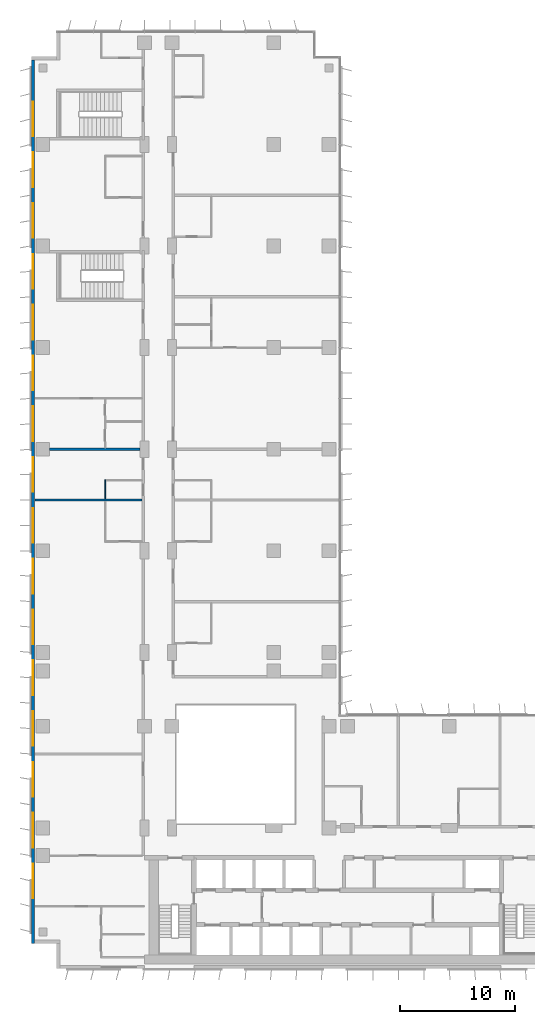
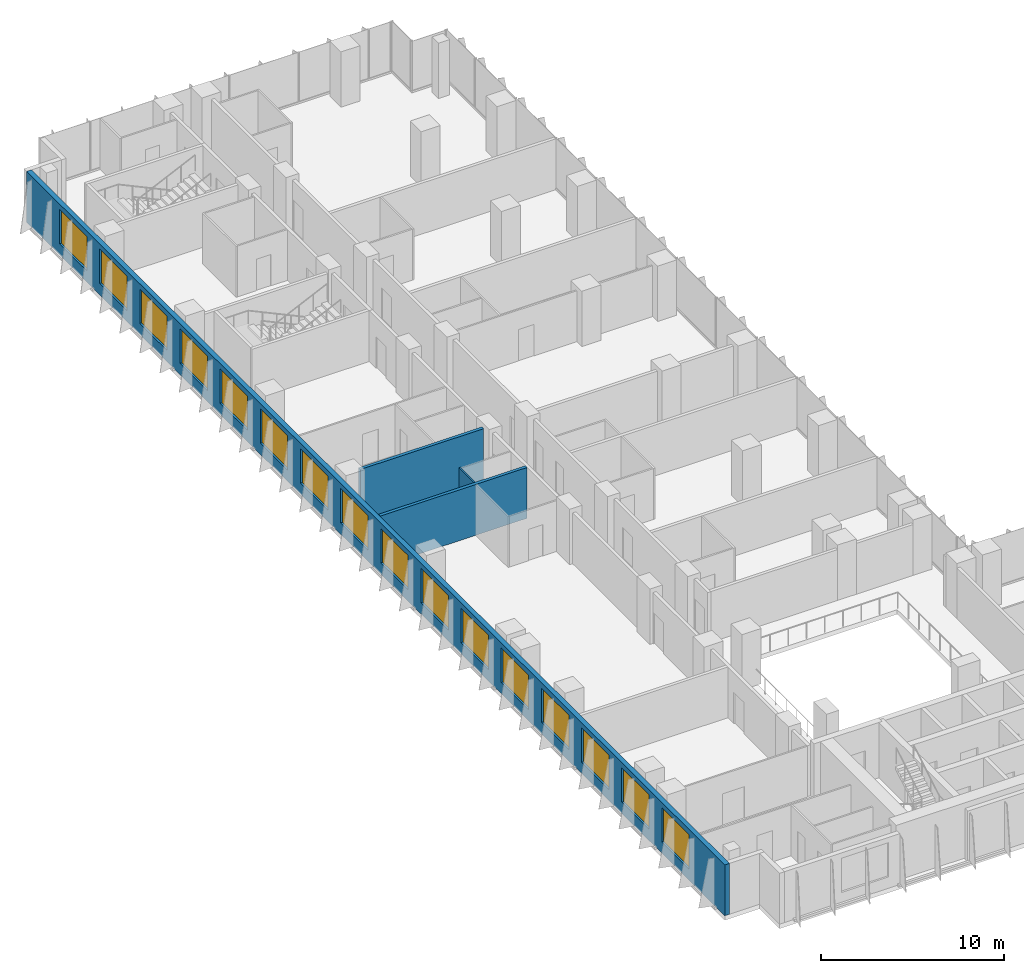
# One storey, part 15 of 22: 16 windows, 4 walls, 16 openings.
"""IFC4 building model written with IfcOpenShell, lengths in metres."""

from ifc_helpers import new_model, si_unit, direction, frame, frame_2d, origin, place, context, subcontext, project, spatial, rectangle, extrude, material, layer, layer_set, type_object, element, fill, save


model = new_model("IFC4")

# Units and contexts
model_context = context("Model", 3, precision=1e-05, world=origin(), true_north=direction((0.0, 1.0)))
body_context = subcontext(model_context, "Body", "Model", "MODEL_VIEW")
ifc_project = project(units=[si_unit("LENGTHUNIT", "METRE"), si_unit("AREAUNIT", "SQUARE_METRE"), si_unit("VOLUMEUNIT", "CUBIC_METRE"), si_unit("PLANEANGLEUNIT", "RADIAN"), si_unit("MASSUNIT", "GRAM", prefix="KILO")], contexts=[model_context])

# Site, building, storey
site_placement = place(None, origin())
site = spatial("IfcSite", under=ifc_project, at=site_placement, CompositionType="ELEMENT")
building_placement = place(site_placement, origin())
building = spatial("IfcBuilding", under=site, at=building_placement, Name="Kemantara Hotel Tower", CompositionType="ELEMENT")
storey_placement = place(building_placement, frame((0.0, 0.0, 122.199951171875)))
storey = spatial("IfcBuildingStorey", under=building, at=storey_placement, Name="L29", CompositionType="ELEMENT", Elevation=122.199951171875)

# Wall, openings, windows
ifc_material_1 = material(Name="Bronze anodised aluminium cladding on insulated steel stud wall", Category="steel")
ifc_layer_1 = layer(ifc_material_1, 0.300048828125)
ifc_layer_set_1 = layer_set([ifc_layer_1], Name="Bronze anodised aluminium cladding on insulated steel stud wall")
wall_type_1 = type_object("IfcWallType", Name="BRONZE METAL-CLAD EXTERNAL WALL 300", PredefinedType="STANDARD", material=ifc_layer_set_1)
wall_1_placement = place(storey_placement, frame((0.14990234375, 78.699951171875, 0.0), z_axis=(0.0, 0.0, 1.0), x_axis=(0.0, -1.0, 0.0)))
wall_1 = element("IfcWall", 1, at=wall_1_placement, inside=storey, type_object=wall_type_1, Name="EXTERNAL WALL L29 T2-R04", PredefinedType="STANDARD", context=body_context, shape_type="SweptSolid", body=[
    extrude(rectangle(XDim=76.5, YDim=0.300048828125, at=frame_2d((38.25, 0.0))), origin(), (0.0, 0.0, 1.0), 3.400146484375),
])
opening_1_placement = place(wall_1_placement, frame((3.60009765625, 0.0, 0.75)))
opening_1 = element("IfcOpeningElement", 2, at=opening_1_placement, cuts=wall_1, Name="Opening W1", PredefinedType="OPENING", context=body_context, shape_type="SweptSolid", body=[
    extrude(rectangle(XDim=3.0, YDim=2.300048828125, at=frame_2d((1.5, 1.14990234375))), frame((0.0, 0.159912109375, 0.0), z_axis=(0.0, -1.0, 0.0), x_axis=(1.0, 0.0, 0.0)), (0.0, 0.0, 1.0), 0.320068359375),
])
opening_2_placement = place(wall_1_placement, frame((8.0, 0.0, 0.75)))
opening_2 = element("IfcOpeningElement", 3, at=opening_2_placement, cuts=wall_1, Name="Opening W1", PredefinedType="OPENING", context=body_context, shape_type="SweptSolid", body=[
    extrude(rectangle(XDim=3.0, YDim=2.300048828125, at=frame_2d((1.5, 1.14990234375))), frame((0.0, 0.159912109375, 0.0), z_axis=(0.0, -1.0, 0.0), x_axis=(1.0, 0.0, 0.0)), (0.0, 0.0, 1.0), 0.320068359375),
])
opening_3_placement = place(wall_1_placement, frame((12.39990234375, 0.0, 0.75)))
opening_3 = element("IfcOpeningElement", 4, at=opening_3_placement, cuts=wall_1, Name="Opening W1", PredefinedType="OPENING", context=body_context, shape_type="SweptSolid", body=[
    extrude(rectangle(XDim=3.0, YDim=2.300048828125, at=frame_2d((1.5, 1.14990234375))), frame((0.0, 0.159912109375, 0.0), z_axis=(0.0, -1.0, 0.0), x_axis=(1.0, 0.0, 0.0)), (0.0, 0.0, 1.0), 0.320068359375),
])
opening_4_placement = place(wall_1_placement, frame((16.800048828125, 0.0, 0.75)))
opening_4 = element("IfcOpeningElement", 5, at=opening_4_placement, cuts=wall_1, Name="Opening W1", PredefinedType="OPENING", context=body_context, shape_type="SweptSolid", body=[
    extrude(rectangle(XDim=3.0, YDim=2.300048828125, at=frame_2d((1.5, 1.14990234375))), frame((0.0, 0.159912109375, 0.0), z_axis=(0.0, -1.0, 0.0), x_axis=(1.0, 0.0, 0.0)), (0.0, 0.0, 1.0), 0.320068359375),
])
opening_5_placement = place(wall_1_placement, frame((21.199951171875, 0.0, 0.75)))
opening_5 = element("IfcOpeningElement", 6, at=opening_5_placement, cuts=wall_1, Name="Opening W1", PredefinedType="OPENING", context=body_context, shape_type="SweptSolid", body=[
    extrude(rectangle(XDim=3.0, YDim=2.300048828125, at=frame_2d((1.5, 1.14990234375))), frame((0.0, 0.159912109375, 0.0), z_axis=(0.0, -1.0, 0.0), x_axis=(1.0, 0.0, 0.0)), (0.0, 0.0, 1.0), 0.320068359375),
])
opening_6_placement = place(wall_1_placement, frame((25.60009765625, 0.0, 0.75)))
opening_6 = element("IfcOpeningElement", 7, at=opening_6_placement, cuts=wall_1, Name="Opening W1", PredefinedType="OPENING", context=body_context, shape_type="SweptSolid", body=[
    extrude(rectangle(XDim=3.0, YDim=2.300048828125, at=frame_2d((1.5, 1.14990234375))), frame((0.0, 0.159912109375, 0.0), z_axis=(0.0, -1.0, 0.0), x_axis=(1.0, 0.0, 0.0)), (0.0, 0.0, 1.0), 0.320068359375),
])
opening_7_placement = place(wall_1_placement, frame((30.0, 0.0, 0.75)))
opening_7 = element("IfcOpeningElement", 8, at=opening_7_placement, cuts=wall_1, Name="Opening W1", PredefinedType="OPENING", context=body_context, shape_type="SweptSolid", body=[
    extrude(rectangle(XDim=3.0, YDim=2.300048828125, at=frame_2d((1.5, 1.14990234375))), frame((0.0, 0.159912109375, 0.0), z_axis=(0.0, -1.0, 0.0), x_axis=(1.0, 0.0, 0.0)), (0.0, 0.0, 1.0), 0.320068359375),
])
opening_8_placement = place(wall_1_placement, frame((34.39990234375, 0.0, 0.75)))
opening_8 = element("IfcOpeningElement", 9, at=opening_8_placement, cuts=wall_1, Name="Opening W1", PredefinedType="OPENING", context=body_context, shape_type="SweptSolid", body=[
    extrude(rectangle(XDim=3.0, YDim=2.300048828125, at=frame_2d((1.5, 1.14990234375))), frame((0.0, 0.159912109375, 0.0), z_axis=(0.0, -1.0, 0.0), x_axis=(1.0, 0.0, 0.0)), (0.0, 0.0, 1.0), 0.320068359375),
])
opening_9_placement = place(wall_1_placement, frame((38.800048828125, 0.0, 0.75)))
opening_9 = element("IfcOpeningElement", 10, at=opening_9_placement, cuts=wall_1, Name="Opening W1", PredefinedType="OPENING", context=body_context, shape_type="SweptSolid", body=[
    extrude(rectangle(XDim=3.0, YDim=2.300048828125, at=frame_2d((1.5, 1.14990234375))), frame((0.0, 0.159912109375, 0.0), z_axis=(0.0, -1.0, 0.0), x_axis=(1.0, 0.0, 0.0)), (0.0, 0.0, 1.0), 0.320068359375),
])
opening_10_placement = place(wall_1_placement, frame((43.199951171875, 0.0, 0.75)))
opening_10 = element("IfcOpeningElement", 11, at=opening_10_placement, cuts=wall_1, Name="Opening W1", PredefinedType="OPENING", context=body_context, shape_type="SweptSolid", body=[
    extrude(rectangle(XDim=3.0, YDim=2.300048828125, at=frame_2d((1.5, 1.14990234375))), frame((0.0, 0.159912109375, 0.0), z_axis=(0.0, -1.0, 0.0), x_axis=(1.0, 0.0, 0.0)), (0.0, 0.0, 1.0), 0.320068359375),
])
opening_11_placement = place(wall_1_placement, frame((47.60009765625, 0.0, 0.75)))
opening_11 = element("IfcOpeningElement", 12, at=opening_11_placement, cuts=wall_1, Name="Opening W1", PredefinedType="OPENING", context=body_context, shape_type="SweptSolid", body=[
    extrude(rectangle(XDim=3.0, YDim=2.300048828125, at=frame_2d((1.5, 1.14990234375))), frame((0.0, 0.159912109375, 0.0), z_axis=(0.0, -1.0, 0.0), x_axis=(1.0, 0.0, 0.0)), (0.0, 0.0, 1.0), 0.320068359375),
])
opening_12_placement = place(wall_1_placement, frame((52.0, 0.0, 0.75)))
opening_12 = element("IfcOpeningElement", 13, at=opening_12_placement, cuts=wall_1, Name="Opening W1", PredefinedType="OPENING", context=body_context, shape_type="SweptSolid", body=[
    extrude(rectangle(XDim=3.0, YDim=2.300048828125, at=frame_2d((1.5, 1.14990234375))), frame((0.0, 0.159912109375, 0.0), z_axis=(0.0, -1.0, 0.0), x_axis=(1.0, 0.0, 0.0)), (0.0, 0.0, 1.0), 0.320068359375),
])
opening_13_placement = place(wall_1_placement, frame((56.39990234375, 0.0, 0.75)))
opening_13 = element("IfcOpeningElement", 14, at=opening_13_placement, cuts=wall_1, Name="Opening W1", PredefinedType="OPENING", context=body_context, shape_type="SweptSolid", body=[
    extrude(rectangle(XDim=3.0, YDim=2.300048828125, at=frame_2d((1.5, 1.14990234375))), frame((0.0, 0.159912109375, 0.0), z_axis=(0.0, -1.0, 0.0), x_axis=(1.0, 0.0, 0.0)), (0.0, 0.0, 1.0), 0.320068359375),
])
opening_14_placement = place(wall_1_placement, frame((60.800048828125, 0.0, 0.75)))
opening_14 = element("IfcOpeningElement", 15, at=opening_14_placement, cuts=wall_1, Name="Opening W1", PredefinedType="OPENING", context=body_context, shape_type="SweptSolid", body=[
    extrude(rectangle(XDim=3.0, YDim=2.300048828125, at=frame_2d((1.5, 1.14990234375))), frame((0.0, 0.159912109375, 0.0), z_axis=(0.0, -1.0, 0.0), x_axis=(1.0, 0.0, 0.0)), (0.0, 0.0, 1.0), 0.320068359375),
])
opening_15_placement = place(wall_1_placement, frame((65.199951171875, 0.0, 0.75)))
opening_15 = element("IfcOpeningElement", 16, at=opening_15_placement, cuts=wall_1, Name="Opening W1", PredefinedType="OPENING", context=body_context, shape_type="SweptSolid", body=[
    extrude(rectangle(XDim=3.0, YDim=2.300048828125, at=frame_2d((1.5, 1.14990234375))), frame((0.0, 0.159912109375, 0.0), z_axis=(0.0, -1.0, 0.0), x_axis=(1.0, 0.0, 0.0)), (0.0, 0.0, 1.0), 0.320068359375),
])
opening_16_placement = place(wall_1_placement, frame((69.60009765625, 0.0, 0.75)))
opening_16 = element("IfcOpeningElement", 17, at=opening_16_placement, cuts=wall_1, Name="Opening W1", PredefinedType="OPENING", context=body_context, shape_type="SweptSolid", body=[
    extrude(rectangle(XDim=3.0, YDim=2.300048828125, at=frame_2d((1.5, 1.14990234375))), frame((0.0, 0.159912109375, 0.0), z_axis=(0.0, -1.0, 0.0), x_axis=(1.0, 0.0, 0.0)), (0.0, 0.0, 1.0), 0.320068359375),
])
ifc_material_2 = material(Name="Low-E tinted double insulated glass in bronze anodised aluminium frame", Category="aluminium")
window_type = type_object("IfcWindowType", Name="CHICAGO WINDOW, TRIPLE PANEL 3000x2300", PartitioningType="TRIPLE_PANEL_VERTICAL", PredefinedType="WINDOW", material=ifc_material_2)
window_1_placement = place(opening_1_placement, origin())
window_1 = element("IfcWindow", 18, at=window_1_placement, inside=storey, type_object=window_type, Name="CHICAGO WINDOW L29 T2-R04-54", OverallHeight=2.300048828125, OverallWidth=3.0, PartitioningType="SINGLE_PANEL", PredefinedType="WINDOW", context=body_context, shape_type="SweptSolid", body=[
    extrude(rectangle(XDim=3.0, YDim=2.300048828125, at=frame_2d((1.5, 1.14990234375))), frame((0.0, 0.030029296875, 0.0), z_axis=(0.0, -1.0, 0.0), x_axis=(1.0, 0.0, 0.0)), (0.0, 0.0, 1.0), 0.06005859375),
])
fill(opening_1, window_1)
window_2_placement = place(opening_2_placement, origin())
window_2 = element("IfcWindow", 19, at=window_2_placement, inside=storey, type_object=window_type, Name="CHICAGO WINDOW L29 T2-R04-98", OverallHeight=2.300048828125, OverallWidth=3.0, PartitioningType="SINGLE_PANEL", PredefinedType="WINDOW", context=body_context, shape_type="SweptSolid", body=[
    extrude(rectangle(XDim=3.0, YDim=2.300048828125, at=frame_2d((1.5, 1.14990234375))), frame((0.0, 0.030029296875, 0.0), z_axis=(0.0, -1.0, 0.0), x_axis=(1.0, 0.0, 0.0)), (0.0, 0.0, 1.0), 0.06005859375),
])
fill(opening_2, window_2)
window_3_placement = place(opening_3_placement, origin())
window_3 = element("IfcWindow", 20, at=window_3_placement, inside=storey, type_object=window_type, Name="CHICAGO WINDOW L29 T2-R04-142", OverallHeight=2.300048828125, OverallWidth=3.0, PartitioningType="SINGLE_PANEL", PredefinedType="WINDOW", context=body_context, shape_type="SweptSolid", body=[
    extrude(rectangle(XDim=3.0, YDim=2.300048828125, at=frame_2d((1.5, 1.14990234375))), frame((0.0, 0.030029296875, 0.0), z_axis=(0.0, -1.0, 0.0), x_axis=(1.0, 0.0, 0.0)), (0.0, 0.0, 1.0), 0.06005859375),
])
fill(opening_3, window_3)
window_4_placement = place(opening_4_placement, origin())
window_4 = element("IfcWindow", 21, at=window_4_placement, inside=storey, type_object=window_type, Name="CHICAGO WINDOW L29 T2-R04-186", OverallHeight=2.300048828125, OverallWidth=3.0, PartitioningType="SINGLE_PANEL", PredefinedType="WINDOW", context=body_context, shape_type="SweptSolid", body=[
    extrude(rectangle(XDim=3.0, YDim=2.300048828125, at=frame_2d((1.5, 1.14990234375))), frame((0.0, 0.030029296875, 0.0), z_axis=(0.0, -1.0, 0.0), x_axis=(1.0, 0.0, 0.0)), (0.0, 0.0, 1.0), 0.06005859375),
])
fill(opening_4, window_4)
window_5_placement = place(opening_5_placement, origin())
window_5 = element("IfcWindow", 22, at=window_5_placement, inside=storey, type_object=window_type, Name="CHICAGO WINDOW L29 T2-R04-230", OverallHeight=2.300048828125, OverallWidth=3.0, PartitioningType="SINGLE_PANEL", PredefinedType="WINDOW", context=body_context, shape_type="SweptSolid", body=[
    extrude(rectangle(XDim=3.0, YDim=2.300048828125, at=frame_2d((1.5, 1.14990234375))), frame((0.0, 0.030029296875, 0.0), z_axis=(0.0, -1.0, 0.0), x_axis=(1.0, 0.0, 0.0)), (0.0, 0.0, 1.0), 0.06005859375),
])
fill(opening_5, window_5)
window_6_placement = place(opening_6_placement, origin())
window_6 = element("IfcWindow", 23, at=window_6_placement, inside=storey, type_object=window_type, Name="CHICAGO WINDOW L29 T2-R04-274", OverallHeight=2.300048828125, OverallWidth=3.0, PartitioningType="SINGLE_PANEL", PredefinedType="WINDOW", context=body_context, shape_type="SweptSolid", body=[
    extrude(rectangle(XDim=3.0, YDim=2.300048828125, at=frame_2d((1.5, 1.14990234375))), frame((0.0, 0.030029296875, 0.0), z_axis=(0.0, -1.0, 0.0), x_axis=(1.0, 0.0, 0.0)), (0.0, 0.0, 1.0), 0.06005859375),
])
fill(opening_6, window_6)
window_7_placement = place(opening_7_placement, origin())
window_7 = element("IfcWindow", 24, at=window_7_placement, inside=storey, type_object=window_type, Name="CHICAGO WINDOW L29 T2-R04-318", OverallHeight=2.300048828125, OverallWidth=3.0, PartitioningType="SINGLE_PANEL", PredefinedType="WINDOW", context=body_context, shape_type="SweptSolid", body=[
    extrude(rectangle(XDim=3.0, YDim=2.300048828125, at=frame_2d((1.5, 1.14990234375))), frame((0.0, 0.030029296875, 0.0), z_axis=(0.0, -1.0, 0.0), x_axis=(1.0, 0.0, 0.0)), (0.0, 0.0, 1.0), 0.06005859375),
])
fill(opening_7, window_7)
window_8_placement = place(opening_8_placement, origin())
window_8 = element("IfcWindow", 25, at=window_8_placement, inside=storey, type_object=window_type, Name="CHICAGO WINDOW L29 T2-R04-362", OverallHeight=2.300048828125, OverallWidth=3.0, PartitioningType="SINGLE_PANEL", PredefinedType="WINDOW", context=body_context, shape_type="SweptSolid", body=[
    extrude(rectangle(XDim=3.0, YDim=2.300048828125, at=frame_2d((1.5, 1.14990234375))), frame((0.0, 0.030029296875, 0.0), z_axis=(0.0, -1.0, 0.0), x_axis=(1.0, 0.0, 0.0)), (0.0, 0.0, 1.0), 0.06005859375),
])
fill(opening_8, window_8)
window_9_placement = place(opening_9_placement, origin())
window_9 = element("IfcWindow", 26, at=window_9_placement, inside=storey, type_object=window_type, Name="CHICAGO WINDOW L29 T2-R04-406", OverallHeight=2.300048828125, OverallWidth=3.0, PartitioningType="SINGLE_PANEL", PredefinedType="WINDOW", context=body_context, shape_type="SweptSolid", body=[
    extrude(rectangle(XDim=3.0, YDim=2.300048828125, at=frame_2d((1.5, 1.14990234375))), frame((0.0, 0.030029296875, 0.0), z_axis=(0.0, -1.0, 0.0), x_axis=(1.0, 0.0, 0.0)), (0.0, 0.0, 1.0), 0.06005859375),
])
fill(opening_9, window_9)
window_10_placement = place(opening_10_placement, origin())
window_10 = element("IfcWindow", 27, at=window_10_placement, inside=storey, type_object=window_type, Name="CHICAGO WINDOW L29 T2-R04-450", OverallHeight=2.300048828125, OverallWidth=3.0, PartitioningType="SINGLE_PANEL", PredefinedType="WINDOW", context=body_context, shape_type="SweptSolid", body=[
    extrude(rectangle(XDim=3.0, YDim=2.300048828125, at=frame_2d((1.5, 1.14990234375))), frame((0.0, 0.030029296875, 0.0), z_axis=(0.0, -1.0, 0.0), x_axis=(1.0, 0.0, 0.0)), (0.0, 0.0, 1.0), 0.06005859375),
])
fill(opening_10, window_10)
window_11_placement = place(opening_11_placement, origin())
window_11 = element("IfcWindow", 28, at=window_11_placement, inside=storey, type_object=window_type, Name="CHICAGO WINDOW L29 T2-R04-494", OverallHeight=2.300048828125, OverallWidth=3.0, PartitioningType="SINGLE_PANEL", PredefinedType="WINDOW", context=body_context, shape_type="SweptSolid", body=[
    extrude(rectangle(XDim=3.0, YDim=2.300048828125, at=frame_2d((1.5, 1.14990234375))), frame((0.0, 0.030029296875, 0.0), z_axis=(0.0, -1.0, 0.0), x_axis=(1.0, 0.0, 0.0)), (0.0, 0.0, 1.0), 0.06005859375),
])
fill(opening_11, window_11)
window_12_placement = place(opening_12_placement, origin())
window_12 = element("IfcWindow", 29, at=window_12_placement, inside=storey, type_object=window_type, Name="CHICAGO WINDOW L29 T2-R04-538", OverallHeight=2.300048828125, OverallWidth=3.0, PartitioningType="SINGLE_PANEL", PredefinedType="WINDOW", context=body_context, shape_type="SweptSolid", body=[
    extrude(rectangle(XDim=3.0, YDim=2.300048828125, at=frame_2d((1.5, 1.14990234375))), frame((0.0, 0.030029296875, 0.0), z_axis=(0.0, -1.0, 0.0), x_axis=(1.0, 0.0, 0.0)), (0.0, 0.0, 1.0), 0.06005859375),
])
fill(opening_12, window_12)
window_13_placement = place(opening_13_placement, origin())
window_13 = element("IfcWindow", 30, at=window_13_placement, inside=storey, type_object=window_type, Name="CHICAGO WINDOW L29 T2-R04-582", OverallHeight=2.300048828125, OverallWidth=3.0, PartitioningType="SINGLE_PANEL", PredefinedType="WINDOW", context=body_context, shape_type="SweptSolid", body=[
    extrude(rectangle(XDim=3.0, YDim=2.300048828125, at=frame_2d((1.5, 1.14990234375))), frame((0.0, 0.030029296875, 0.0), z_axis=(0.0, -1.0, 0.0), x_axis=(1.0, 0.0, 0.0)), (0.0, 0.0, 1.0), 0.06005859375),
])
fill(opening_13, window_13)
window_14_placement = place(opening_14_placement, origin())
window_14 = element("IfcWindow", 31, at=window_14_placement, inside=storey, type_object=window_type, Name="CHICAGO WINDOW L29 T2-R04-626", OverallHeight=2.300048828125, OverallWidth=3.0, PartitioningType="SINGLE_PANEL", PredefinedType="WINDOW", context=body_context, shape_type="SweptSolid", body=[
    extrude(rectangle(XDim=3.0, YDim=2.300048828125, at=frame_2d((1.5, 1.14990234375))), frame((0.0, 0.030029296875, 0.0), z_axis=(0.0, -1.0, 0.0), x_axis=(1.0, 0.0, 0.0)), (0.0, 0.0, 1.0), 0.06005859375),
])
fill(opening_14, window_14)
window_15_placement = place(opening_15_placement, origin())
window_15 = element("IfcWindow", 32, at=window_15_placement, inside=storey, type_object=window_type, Name="CHICAGO WINDOW L29 T2-R04-670", OverallHeight=2.300048828125, OverallWidth=3.0, PartitioningType="SINGLE_PANEL", PredefinedType="WINDOW", context=body_context, shape_type="SweptSolid", body=[
    extrude(rectangle(XDim=3.0, YDim=2.300048828125, at=frame_2d((1.5, 1.14990234375))), frame((0.0, 0.030029296875, 0.0), z_axis=(0.0, -1.0, 0.0), x_axis=(1.0, 0.0, 0.0)), (0.0, 0.0, 1.0), 0.06005859375),
])
fill(opening_15, window_15)
window_16_placement = place(opening_16_placement, origin())
window_16 = element("IfcWindow", 33, at=window_16_placement, inside=storey, type_object=window_type, Name="CHICAGO WINDOW L29 T2-R04-714", OverallHeight=2.300048828125, OverallWidth=3.0, PartitioningType="SINGLE_PANEL", PredefinedType="WINDOW", context=body_context, shape_type="SweptSolid", body=[
    extrude(rectangle(XDim=3.0, YDim=2.300048828125, at=frame_2d((1.5, 1.14990234375))), frame((0.0, 0.030029296875, 0.0), z_axis=(0.0, -1.0, 0.0), x_axis=(1.0, 0.0, 0.0)), (0.0, 0.0, 1.0), 0.06005859375),
])
fill(opening_16, window_16)

# Walls
ifc_material_3 = material(Name="Gypsum board partition, steel studs and mineral wool, 200 mm", Category="steel")
ifc_layer_2 = layer(ifc_material_3, 0.199951171875)
ifc_layer_set_2 = layer_set([ifc_layer_2], Name="Gypsum board partition, steel studs and mineral wool, 200 mm")
wall_type_2 = type_object("IfcWallType", Name="GUEST ROOM PARTY WALL 200", PredefinedType="PARTITIONING", material=ifc_layer_set_2)
wall_2_placement = place(storey_placement, frame((0.31005859375, 40.60009765625, 0.0), z_axis=(0.0, 0.0, 1.0), x_axis=(1.0, 0.0, 0.0)))
element("IfcWall", 34, at=wall_2_placement, inside=storey, type_object=wall_type_2, Name="GUEST ROOM PARTY WALL 200 024", PredefinedType="PARTITIONING", context=body_context, shape_type="SweptSolid", body=[
    extrude(rectangle(XDim=9.2900390625, YDim=0.199951171875, at=frame_2d((4.64501953125, 0.0))), origin(), (0.0, 0.0, 1.0), 3.400146484375),
])
wall_3_placement = place(storey_placement, frame((1.60009765625, 45.0, 0.0), z_axis=(0.0, 0.0, 1.0), x_axis=(1.0, 0.0, 0.0)))
element("IfcWall", 35, at=wall_3_placement, inside=storey, type_object=wall_type_2, Name="GUEST ROOM PARTY WALL 200 026", PredefinedType="PARTITIONING", context=body_context, shape_type="SweptSolid", body=[
    extrude(rectangle(XDim=7.7998046875, YDim=0.199951171875, at=frame_2d((3.89990234375, 0.0))), origin(), (0.0, 0.0, 1.0), 3.400146484375),
])
ifc_material_4 = material(Name="Gypsum board partition on steel studs, 100 mm", Category="steel")
ifc_layer_3 = layer(ifc_material_4, 0.10009765625)
ifc_layer_set_3 = layer_set([ifc_layer_3], Name="Gypsum board partition on steel studs, 100 mm")
wall_type_3 = type_object("IfcWallType", Name="ROOM PARTITION 100", PredefinedType="PARTITIONING", material=ifc_layer_set_3)
wall_4_placement = place(storey_placement, frame((6.39990234375, 40.699951171875, 0.0), z_axis=(0.0, 0.0, 1.0), x_axis=(0.0, 1.0, 0.0)))
element("IfcWall", 36, at=wall_4_placement, inside=storey, type_object=wall_type_3, Name="ROOM PARTITION 100 062", PredefinedType="PARTITIONING", context=body_context, shape_type="SweptSolid", body=[
    extrude(rectangle(XDim=1.650146484375, YDim=0.10009765625, at=frame_2d((0.8251953125, 0.0))), origin(), (0.0, 0.0, 1.0), 3.400146484375),
])

save(model, "model.ifc")
